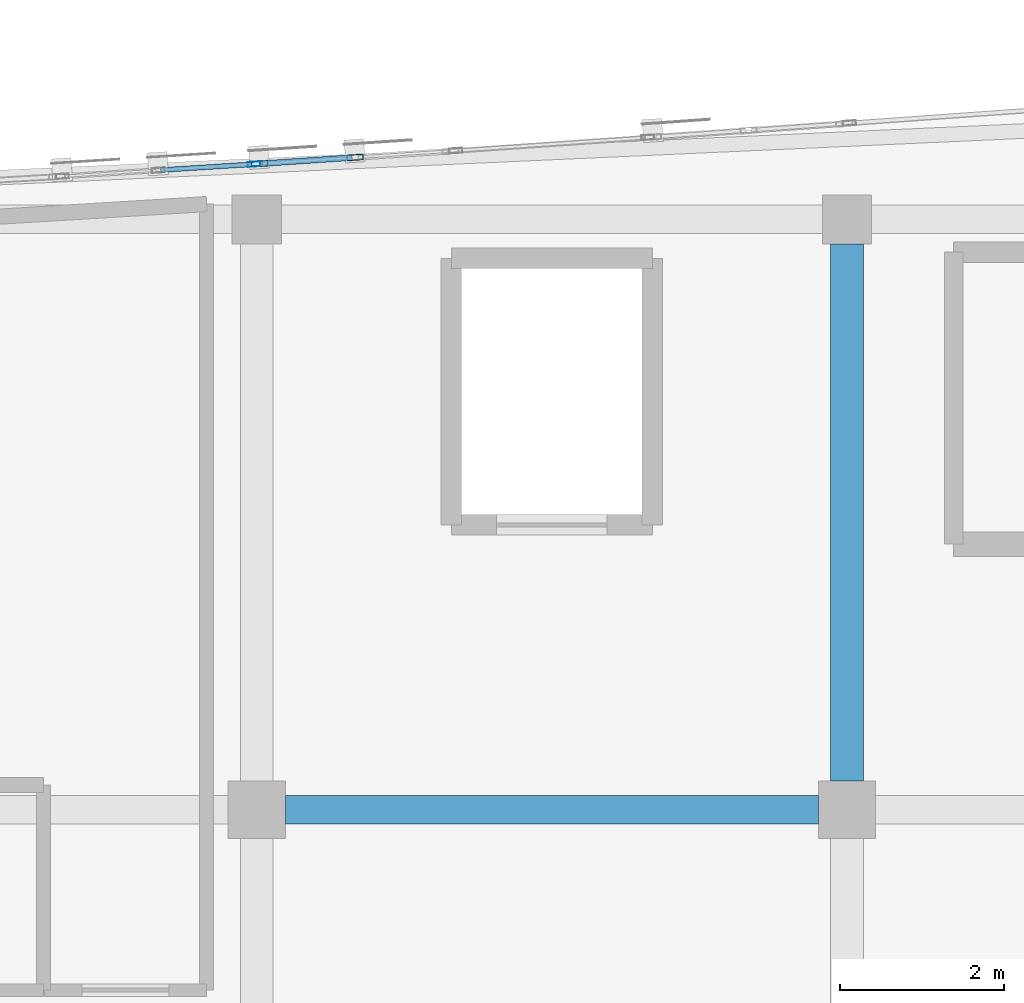
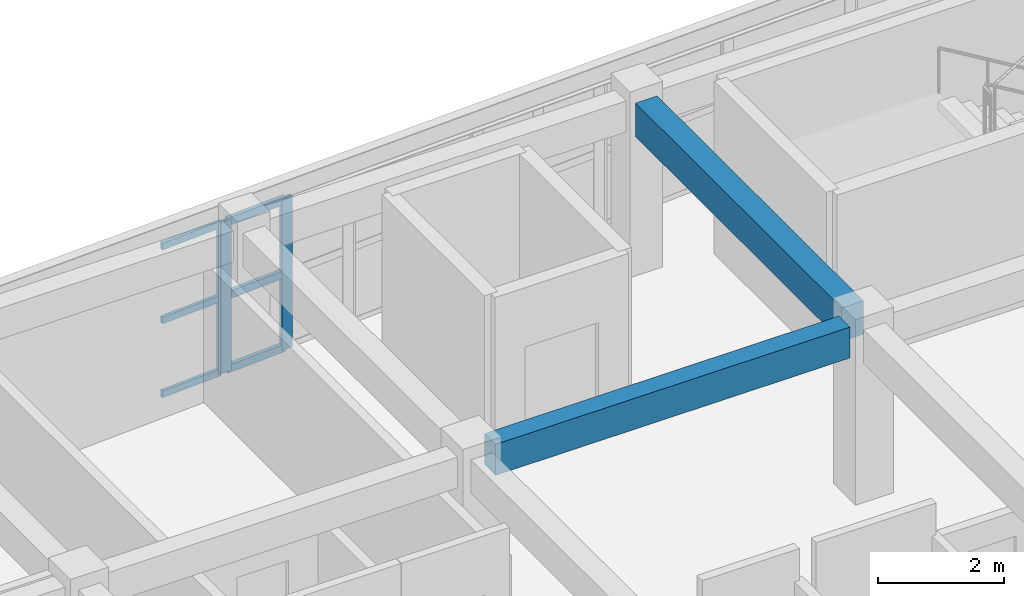
# One storey, part 8 of 50: 9 members, 2 beams, 2 elements without a shape of their own.
"""IFC4 building model written with IfcOpenShell, lengths in metres."""

from ifc_helpers import new_model, si_unit, direction, frame, origin, origin_2d, place, context, subcontext, project, spatial, rectangle, hollow_rectangle, extrude, material, layer, layer_set, material_profile, profile_set, type_object, element, aggregate, save


model = new_model("IFC4")

# Units and contexts
model_context = context("Model", 3, precision=1e-05, world=origin(), true_north=direction((0.0, 1.0)))
body_context = subcontext(model_context, "Body", "Model", "MODEL_VIEW")
ifc_project = project(units=[si_unit("LENGTHUNIT", "METRE"), si_unit("AREAUNIT", "SQUARE_METRE"), si_unit("VOLUMEUNIT", "CUBIC_METRE"), si_unit("PLANEANGLEUNIT", "RADIAN"), si_unit("MASSUNIT", "GRAM", prefix="KILO")], contexts=[model_context])

# Site, building, storey
site_placement = place(None, origin())
site = spatial("IfcSite", under=ifc_project, at=site_placement, CompositionType="ELEMENT")
building_placement = place(site_placement, origin())
building = spatial("IfcBuilding", under=site, at=building_placement, Name="Carrowvane Square Congress Hotel", CompositionType="ELEMENT")
storey_placement = place(building_placement, frame((0.0, 0.0, 22.800048828125)))
storey = spatial("IfcBuildingStorey", under=building, at=storey_placement, Name="L05", CompositionType="ELEMENT", Elevation=22.800048828125)

# Beams
ifc_material_1 = material(Name="Concrete C35/45", Category="concrete")
ifc_material_profile_1 = material_profile(ifc_material_1, rectangle(XDim=0.35009765625, YDim=0.60009765625, at=origin_2d()), Name="RC 350x600")
ifc_profile_set_1 = profile_set([ifc_material_profile_1], Name="Concrete C35/45")
beam_type_1 = type_object("IfcBeamType", Name="BM-RC-350x600", PredefinedType="BEAM", material=ifc_profile_set_1)
beam_1_placement = place(storey_placement, frame((47.949951171875, 106.199951171875, 3.050048828125), z_axis=(1.0, 0.0, 0.0), x_axis=(0.0, 1.0, 0.0)))
element("IfcBeam", 1, at=beam_1_placement, inside=storey, type_object=beam_type_1, Name="L06 girder Q/6-7", PredefinedType="BEAM", context=body_context, shape_type="SweptSolid", body=[
    extrude(rectangle(XDim=0.35009765625, YDim=0.60009765625, at=origin_2d()), origin(), (0.0, 0.0, 1.0), 6.5),
])
ifc_material_2 = material(Name="Concrete C35/45", Category="concrete")
ifc_material_profile_2 = material_profile(ifc_material_2, rectangle(XDim=0.39990234375, YDim=0.64990234375, at=origin_2d()), Name="RC 400x650")
ifc_profile_set_2 = profile_set([ifc_material_profile_2], Name="Concrete C35/45")
beam_type_2 = type_object("IfcBeamType", Name="BM-RC-400x650", PredefinedType="BEAM", material=ifc_profile_set_2)
beam_2_placement = place(storey_placement, frame((54.800048828125, 106.550048828125, 3.02490234375), z_axis=(0.0, 1.0, 0.0), x_axis=(-1.0, 0.0, 0.0)))
element("IfcBeam", 2, at=beam_2_placement, inside=storey, type_object=beam_type_2, Name="L06 girder 7/Q-R", PredefinedType="BEAM", context=body_context, shape_type="SweptSolid", body=[
    extrude(rectangle(XDim=0.39990234375, YDim=0.64990234375, at=origin_2d()), origin(), (0.0, 0.0, 1.0), 6.550048828125),
])

# Curtain wall, member
ifc_material_3 = material(Name="Anodised aluminium", Category="aluminium")
ifc_layer_1 = layer(ifc_material_3, 0.23388671875)
ifc_layer_set_1 = layer_set([ifc_layer_1], Name="Anodised aluminium")
curtain_wall_type_1 = type_object("IfcCurtainWallType", Name="CW-SYS-7", PredefinedType="NOTDEFINED", material=ifc_layer_set_1)
curtain_wall_1_placement = place(storey_placement, origin())
curtain_wall_1 = element("IfcCurtainWall", 3, at=curtain_wall_1_placement, inside=storey, type_object=curtain_wall_type_1, Name="L05 unitised curtain wall 310", PredefinedType="NOTDEFINED")
ifc_material_4 = material(Name="Anodised aluminium", Category="aluminium")
ifc_material_profile_3 = material_profile(ifc_material_4, hollow_rectangle(XDim=0.06005859375, YDim=0.159912109375, WallThickness=0.00390625, at=origin_2d()), Name="CW-ML 60x160x4")
ifc_profile_set_3 = profile_set([ifc_material_profile_3], Name="Anodised aluminium")
member_type_1 = type_object("IfcMemberType", Name="CW-MUL-1", PredefinedType="MULLION", material=ifc_profile_set_3)
member_1_placement = place(storey_placement, frame((47.570068359375, 114.073486328125, 0.0), z_axis=(0.0, 0.0, 1.0), x_axis=(-0.063273487972, 0.997996225303, 0.0)))
member_1 = element("IfcMember", 4, at=member_1_placement, type_object=member_type_1, Name="CW-7 mullion 3", PredefinedType="MULLION", context=body_context, shape_type="SweptSolid", body=[
    extrude(hollow_rectangle(XDim=0.06005859375, YDim=0.159912109375, WallThickness=0.00390625, at=origin_2d()), origin(), (0.0, 0.0, 1.0), 2.925537109375),
])

# Curtain wall, members
ifc_material_5 = material(Name="Anodised aluminium", Category="aluminium")
ifc_layer_2 = layer(ifc_material_5, 0.24609375)
ifc_layer_set_2 = layer_set([ifc_layer_2], Name="Anodised aluminium")
curtain_wall_type_2 = type_object("IfcCurtainWallType", Name="CW-SYS-8", PredefinedType="NOTDEFINED", material=ifc_layer_set_2)
curtain_wall_2_placement = place(storey_placement, origin())
curtain_wall_2 = element("IfcCurtainWall", 5, at=curtain_wall_2_placement, inside=storey, type_object=curtain_wall_type_2, Name="L05 unitised curtain wall 311", PredefinedType="NOTDEFINED")
ifc_material_6 = material(Name="Anodised aluminium", Category="aluminium")
ifc_material_profile_4 = material_profile(ifc_material_6, hollow_rectangle(XDim=0.070068359375, YDim=0.199951171875, WallThickness=0.0048828125, at=origin_2d()), Name="CW-ML 70x200x5")
ifc_profile_set_4 = profile_set([ifc_material_profile_4], Name="Anodised aluminium")
member_type_2 = type_object("IfcMemberType", Name="CW-MUL-2", PredefinedType="MULLION", material=ifc_profile_set_4)
member_2_placement = place(storey_placement, frame((47.635009765625, 114.07763671875, 0.0), z_axis=(0.0, 0.0, 1.0), x_axis=(-0.066578061501, 0.99778121937, 0.0)))
member_2 = element("IfcMember", 6, at=member_2_placement, type_object=member_type_2, Name="CW-8 mullion 1", PredefinedType="MULLION", context=body_context, shape_type="SweptSolid", body=[
    extrude(hollow_rectangle(XDim=0.070068359375, YDim=0.199951171875, WallThickness=0.0048828125, at=origin_2d()), origin(), (0.0, 0.0, 1.0), 2.925537109375),
])
member_3_placement = place(storey_placement, frame((48.800048828125, 114.155517578125, 0.0), z_axis=(0.0, 0.0, 1.0), x_axis=(-0.066578061501, 0.99778121937, 0.0)))
member_3 = element("IfcMember", 7, at=member_3_placement, type_object=member_type_2, Name="CW-8 mullion 2", PredefinedType="MULLION", context=body_context, shape_type="SweptSolid", body=[
    extrude(hollow_rectangle(XDim=0.070068359375, YDim=0.199951171875, WallThickness=0.0048828125, at=origin_2d()), origin(), (0.0, 0.0, 1.0), 2.925537109375),
])

# Member
ifc_material_7 = material(Name="Anodised aluminium", Category="aluminium")
ifc_material_profile_5 = material_profile(ifc_material_7, hollow_rectangle(XDim=0.06005859375, YDim=0.1298828125, WallThickness=0.00390625, at=origin_2d()), Name="CW-TR 60x130x4")
ifc_profile_set_5 = profile_set([ifc_material_profile_5], Name="Anodised aluminium")
member_type_3 = type_object("IfcMemberType", Name="CW-TRN-1", PredefinedType="USERDEFINED", material=ifc_profile_set_5)
member_4_placement = place(storey_placement, frame((46.429931640625, 114.001220703125, 0.030029296875), z_axis=(0.99800013466, 0.063211796521, 0.0), x_axis=(-0.063211796521, 0.99800013466, 0.0)))
member_4 = element("IfcMember", 8, at=member_4_placement, type_object=member_type_3, Name="CW-7 transom 2.1", ObjectType="TRANSOM", PredefinedType="USERDEFINED", context=body_context, shape_type="SweptSolid", body=[
    extrude(hollow_rectangle(XDim=0.06005859375, YDim=0.1298828125, WallThickness=0.00390625, at=origin_2d()), origin(), (0.0, 0.0, 1.0), 1.1123046875),
])

member_5_placement = place(storey_placement, frame((46.429931640625, 114.001220703125, 1.462646484375), z_axis=(0.99800013466, 0.063211796521, 0.0), x_axis=(-0.063211796521, 0.99800013466, 0.0)))
member_5 = element("IfcMember", 9, at=member_5_placement, type_object=member_type_3, Name="CW-7 transom 2.2", ObjectType="TRANSOM", PredefinedType="USERDEFINED", context=body_context, shape_type="SweptSolid", body=[
    extrude(hollow_rectangle(XDim=0.06005859375, YDim=0.1298828125, WallThickness=0.00390625, at=origin_2d()), origin(), (0.0, 0.0, 1.0), 1.1123046875),
])

member_6_placement = place(storey_placement, frame((46.429931640625, 114.001220703125, 2.8955078125), z_axis=(0.99800013466, 0.063211796521, 0.0), x_axis=(-0.063211796521, 0.99800013466, 0.0)))
member_6 = element("IfcMember", 10, at=member_6_placement, type_object=member_type_3, Name="CW-7 transom 2.3", ObjectType="TRANSOM", PredefinedType="USERDEFINED", context=body_context, shape_type="SweptSolid", body=[
    extrude(hollow_rectangle(XDim=0.06005859375, YDim=0.1298828125, WallThickness=0.00390625, at=origin_2d()), origin(), (0.0, 0.0, 1.0), 1.1123046875),
])

aggregate(curtain_wall_1, [member_1, member_4, member_5, member_6])

ifc_material_8 = material(Name="Anodised aluminium", Category="aluminium")
ifc_material_profile_6 = material_profile(ifc_material_8, hollow_rectangle(XDim=0.070068359375, YDim=0.14990234375, WallThickness=0.0048828125, at=origin_2d()), Name="CW-TR 70x150x5")
ifc_profile_set_6 = profile_set([ifc_material_profile_6], Name="Anodised aluminium")
member_type_4 = type_object("IfcMemberType", Name="CW-TRN-2", PredefinedType="USERDEFINED", material=ifc_profile_set_6)
member_7_placement = place(storey_placement, frame((47.669921875, 114.080078125, 0.034912109375), z_axis=(0.997786141917, 0.066504247979, 0.0), x_axis=(-0.066504247979, 0.997786141917, 0.0)))
member_7 = element("IfcMember", 11, at=member_7_placement, type_object=member_type_4, Name="CW-8 transom 1.1", ObjectType="TRANSOM", PredefinedType="USERDEFINED", context=body_context, shape_type="SweptSolid", body=[
    extrude(hollow_rectangle(XDim=0.070068359375, YDim=0.14990234375, WallThickness=0.0048828125, at=origin_2d()), origin(), (0.0, 0.0, 1.0), 1.09765625),
])

member_8_placement = place(storey_placement, frame((47.669921875, 114.080078125, 1.462646484375), z_axis=(0.997786141917, 0.066504247979, 0.0), x_axis=(-0.066504247979, 0.997786141917, 0.0)))
member_8 = element("IfcMember", 12, at=member_8_placement, type_object=member_type_4, Name="CW-8 transom 1.2", ObjectType="TRANSOM", PredefinedType="USERDEFINED", context=body_context, shape_type="SweptSolid", body=[
    extrude(hollow_rectangle(XDim=0.070068359375, YDim=0.14990234375, WallThickness=0.0048828125, at=origin_2d()), origin(), (0.0, 0.0, 1.0), 1.09765625),
])

member_9_placement = place(storey_placement, frame((47.669921875, 114.080078125, 2.890625), z_axis=(0.997786141917, 0.066504247979, 0.0), x_axis=(-0.066504247979, 0.997786141917, 0.0)))
member_9 = element("IfcMember", 13, at=member_9_placement, type_object=member_type_4, Name="CW-8 transom 1.3", ObjectType="TRANSOM", PredefinedType="USERDEFINED", context=body_context, shape_type="SweptSolid", body=[
    extrude(hollow_rectangle(XDim=0.070068359375, YDim=0.14990234375, WallThickness=0.0048828125, at=origin_2d()), origin(), (0.0, 0.0, 1.0), 1.09765625),
])

aggregate(curtain_wall_2, [member_2, member_3, member_7, member_8, member_9])

save(model, "model.ifc")
